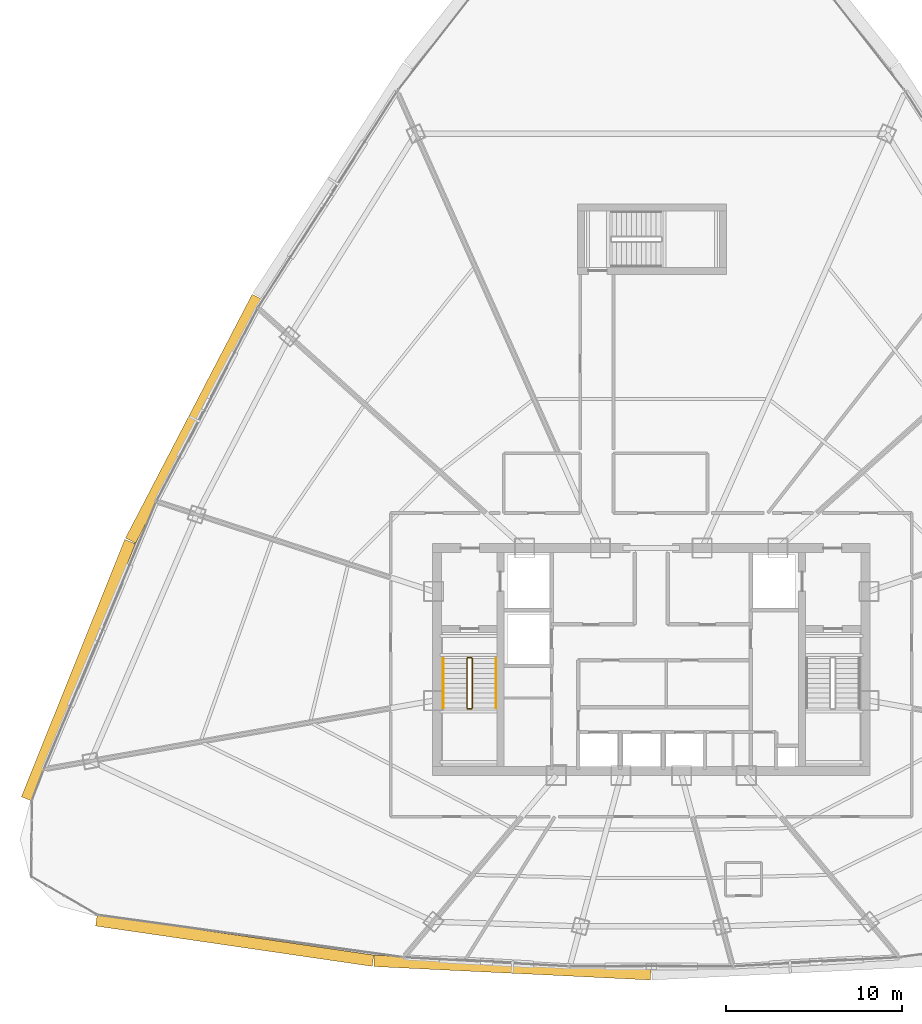
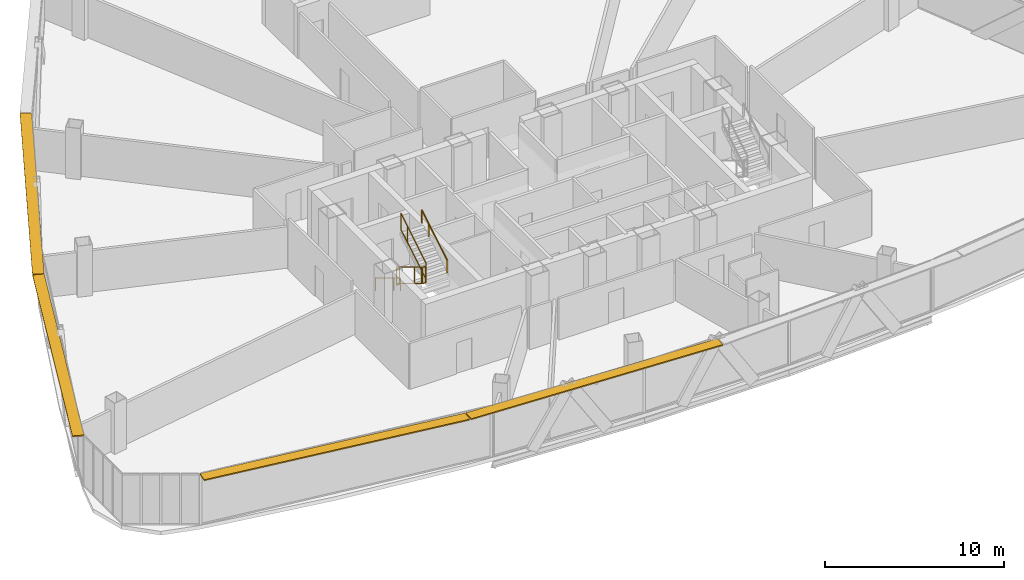
# One storey, part 33 of 36: 6 railings, 4 shading devices.
"""IFC4 building model written with IfcOpenShell, lengths in metres."""

from ifc_helpers import new_model, si_unit, direction, frame, origin, origin_2d, place, context, subcontext, project, spatial, rectangle, extrude, source, transform, mapped, material, layer, layer_set, type_object, element, save


model = new_model("IFC4")

# Units and contexts
model_context = context("Model", 3, precision=1e-05, world=origin(), true_north=direction((0.0, 1.0)))
body_context = subcontext(model_context, "Body", "Model", "MODEL_VIEW")
ifc_project = project(units=[si_unit("LENGTHUNIT", "METRE"), si_unit("AREAUNIT", "SQUARE_METRE"), si_unit("VOLUMEUNIT", "CUBIC_METRE"), si_unit("PLANEANGLEUNIT", "RADIAN"), si_unit("MASSUNIT", "GRAM", prefix="KILO"), si_unit("THERMODYNAMICTEMPERATUREUNIT", "KELVIN"), si_unit("POWERUNIT", "WATT")], contexts=[model_context])

# Site, building, storey
site_placement = place(None, origin())
site = spatial("IfcSite", under=ifc_project, at=site_placement, CompositionType="ELEMENT")
building_placement = place(site_placement, origin())
building = spatial("IfcBuilding", under=site, at=building_placement, Name="Yunzhuo Pagoda Commons", CompositionType="ELEMENT")
storey_placement = place(building_placement, frame((0.0, 0.0, 244.530029296875)))
storey = spatial("IfcBuildingStorey", under=building, at=storey_placement, Name="L61", CompositionType="ELEMENT", Elevation=244.530029296875)

# Railings
ifc_material = material(Name="Anodized aluminium 6063-T6", Category="aluminium")
railing_type_1 = type_object("IfcRailingType", Name="GR-ST1 Stair Well Guardrail 1150", PredefinedType="GUARDRAIL", material=ifc_material)
railing_1_placement = place(storey_placement, frame((37.5, 33.89990234375, 0.16943359375)))
element("IfcRailing", 1, at=railing_1_placement, inside=storey, type_object=railing_type_1, Name="L61 ST1 stair guard 1", PredefinedType="GUARDRAIL", context=body_context, shape_type="SweptSolid", body=[
    extrude(rectangle(XDim=0.048095703125, YDim=0.048095703125, at=origin_2d()), frame((0.0, 0.0, 1.1259765625), z_axis=(0.0, -0.855373106579, 0.518012401918), x_axis=(1.0, 0.0, 0.0)), (0.0, 0.0, 1.0), 3.273193359375),
    extrude(rectangle(XDim=0.048095703125, YDim=0.048095703125, at=origin_2d()), frame((0.0, 0.0, 0.02392578125), z_axis=(0.0, -0.855373106579, 0.518012401918), x_axis=(1.0, 0.0, 0.0)), (0.0, 0.0, 1.0), 3.273193359375),
    extrude(rectangle(XDim=0.0419921875, YDim=0.0419921875, at=origin_2d()), origin(), (0.0, 0.0, 1.0), 1.101806640625),
    extrude(rectangle(XDim=0.0419921875, YDim=0.0419921875, at=origin_2d()), frame((0.0, -2.052978515625, 1.2431640625)), (0.0, 0.0, 1.0), 1.101806640625),
    extrude(rectangle(XDim=0.0419921875, YDim=0.0419921875, at=origin_2d()), frame((0.0, -2.7998046875, 1.695556640625)), (0.0, 0.0, 1.0), 1.101806640625),
])
railing_2_placement = place(storey_placement, frame((37.550048828125, 31.050048828125, 1.864990234375)))
element("IfcRailing", 2, at=railing_2_placement, inside=storey, type_object=railing_type_1, Name="L61 ST1 stair guard 2", PredefinedType="GUARDRAIL", context=body_context, shape_type="SweptSolid", body=[
    extrude(rectangle(XDim=0.048095703125, YDim=0.048095703125, at=origin_2d()), frame((0.0, 0.0, 1.1259765625), z_axis=(1.0, 0.0, 0.0), x_axis=(0.0, 1.0, 0.0)), (0.0, 0.0, 1.0), 0.199951171875),
    extrude(rectangle(XDim=0.048095703125, YDim=0.048095703125, at=origin_2d()), frame((0.0, 0.0, 0.02392578125), z_axis=(1.0, 0.0, 0.0), x_axis=(0.0, 1.0, 0.0)), (0.0, 0.0, 1.0), 0.199951171875),
    extrude(rectangle(XDim=0.0419921875, YDim=0.0419921875, at=origin_2d()), origin(), (0.0, 0.0, 1.0), 1.101806640625),
    extrude(rectangle(XDim=0.0419921875, YDim=0.0419921875, at=origin_2d()), frame((0.199951171875, 0.0, 0.0)), (0.0, 0.0, 1.0), 1.101806640625),
])
railing_3_placement = place(storey_placement, frame((37.800048828125, 31.10009765625, 2.034423828125)))
element("IfcRailing", 3, at=railing_3_placement, inside=storey, type_object=railing_type_1, Name="L61 ST1 stair guard 3", PredefinedType="GUARDRAIL", context=body_context, shape_type="SweptSolid", body=[
    extrude(rectangle(XDim=0.048095703125, YDim=0.048095703125, at=origin_2d()), frame((0.0, 0.0, 1.1259765625), z_axis=(0.0, 0.855373106579, 0.518012401918), x_axis=(-1.0, 0.0, 0.0)), (0.0, 0.0, 1.0), 3.273193359375),
    extrude(rectangle(XDim=0.048095703125, YDim=0.048095703125, at=origin_2d()), frame((0.0, 0.0, 0.02392578125), z_axis=(0.0, 0.855373106579, 0.518012401918), x_axis=(-1.0, 0.0, 0.0)), (0.0, 0.0, 1.0), 3.273193359375),
    extrude(rectangle(XDim=0.0419921875, YDim=0.0419921875, at=origin_2d()), origin(), (0.0, 0.0, 1.0), 1.101806640625),
    extrude(rectangle(XDim=0.0419921875, YDim=0.0419921875, at=origin_2d()), frame((0.0, 2.052978515625, 1.2431640625)), (0.0, 0.0, 1.0), 1.101806640625),
    extrude(rectangle(XDim=0.0419921875, YDim=0.0419921875, at=origin_2d()), frame((0.0, 2.7998046875, 1.695556640625)), (0.0, 0.0, 1.0), 1.101806640625),
])
railing_4_placement = place(storey_placement, frame((37.550048828125, 33.949951171875, 0.0)))
element("IfcRailing", 4, at=railing_4_placement, inside=storey, type_object=railing_type_1, Name="L61 ST1 stair guard 4", PredefinedType="GUARDRAIL", context=body_context, shape_type="SweptSolid", body=[
    extrude(rectangle(XDim=0.048095703125, YDim=0.048095703125, at=origin_2d()), frame((0.0, 0.0, 1.1259765625), z_axis=(1.0, 0.0, 0.0), x_axis=(0.0, 1.0, 0.0)), (0.0, 0.0, 1.0), 0.199951171875),
    extrude(rectangle(XDim=0.048095703125, YDim=0.048095703125, at=origin_2d()), frame((0.0, 0.0, 0.02392578125), z_axis=(1.0, 0.0, 0.0), x_axis=(0.0, 1.0, 0.0)), (0.0, 0.0, 1.0), 0.199951171875),
    extrude(rectangle(XDim=0.0419921875, YDim=0.0419921875, at=origin_2d()), origin(), (0.0, 0.0, 1.0), 1.101806640625),
    extrude(rectangle(XDim=0.0419921875, YDim=0.0419921875, at=origin_2d()), frame((0.199951171875, 0.0, 0.0)), (0.0, 0.0, 1.0), 1.101806640625),
])
railing_type_2 = type_object("IfcRailingType", Name="HR-ST1 Stair Handrail 900", PredefinedType="HANDRAIL", material=ifc_material)
railing_5_placement = place(storey_placement, frame((36.14990234375, 33.89990234375, 0.16943359375)))
element("IfcRailing", 5, at=railing_5_placement, inside=storey, type_object=railing_type_2, Name="L61 ST1 stair handrail 1", PredefinedType="HANDRAIL", context=body_context, shape_type="SweptSolid", body=[
    extrude(rectangle(XDim=0.048095703125, YDim=0.048095703125, at=origin_2d()), frame((0.0, 0.0, 0.8759765625), z_axis=(0.0, -0.855373106579, 0.518012401918), x_axis=(1.0, 0.0, 0.0)), (0.0, 0.0, 1.0), 3.273193359375),
    extrude(rectangle(XDim=0.0419921875, YDim=0.0419921875, at=origin_2d()), origin(), (0.0, 0.0, 1.0), 0.851806640625),
    extrude(rectangle(XDim=0.0419921875, YDim=0.0419921875, at=origin_2d()), frame((0.0, -2.052978515625, 1.2431640625)), (0.0, 0.0, 1.0), 0.851806640625),
    extrude(rectangle(XDim=0.0419921875, YDim=0.0419921875, at=origin_2d()), frame((0.0, -2.7998046875, 1.695556640625)), (0.0, 0.0, 1.0), 0.851806640625),
])
railing_6_placement = place(storey_placement, frame((39.14990234375, 31.10009765625, 2.034423828125)))
element("IfcRailing", 6, at=railing_6_placement, inside=storey, type_object=railing_type_2, Name="L61 ST1 stair handrail 2", PredefinedType="HANDRAIL", context=body_context, shape_type="SweptSolid", body=[
    extrude(rectangle(XDim=0.048095703125, YDim=0.048095703125, at=origin_2d()), frame((0.0, 0.0, 0.8759765625), z_axis=(0.0, 0.855373106579, 0.518012401918), x_axis=(-1.0, 0.0, 0.0)), (0.0, 0.0, 1.0), 3.273193359375),
    extrude(rectangle(XDim=0.0419921875, YDim=0.0419921875, at=origin_2d()), origin(), (0.0, 0.0, 1.0), 0.851806640625),
    extrude(rectangle(XDim=0.0419921875, YDim=0.0419921875, at=origin_2d()), frame((0.0, 2.052978515625, 1.2431640625)), (0.0, 0.0, 1.0), 0.851806640625),
    extrude(rectangle(XDim=0.0419921875, YDim=0.0419921875, at=origin_2d()), frame((0.0, 2.7998046875, 1.695556640625)), (0.0, 0.0, 1.0), 0.851806640625),
])

# Shading devices
ifc_layer = layer(ifc_material, 0.080078125)
ifc_layer_set = layer_set([ifc_layer], Name="Anodized aluminium 6063-T6")
shading_device_type = type_object("IfcShadingDeviceType", Name="SH-SUN1 Pagoda Horizontal Sunshade Eave 650", PredefinedType="USERDEFINED", material=ifc_layer_set)
shared_shape_1 = source(origin(), body_context, "Body", "SweptSolid", [
    extrude(rectangle(XDim=15.924560546875, YDim=0.64990234375, at=origin_2d()), origin(), (0.0, 0.0, 1.0), 0.080078125),
])
shading_device_1_placement = place(storey_placement, frame((24.269775390625, 17.8427734375, 3.389892578125), z_axis=(0.0, 0.0, 1.0), x_axis=(0.989510666697, -0.144459823108, 0.0)))
element("IfcShadingDevice", 7, at=shading_device_1_placement, inside=storey, type_object=shading_device_type, Name="L61 horizontal pagoda sunshade eave F1.1", ObjectType="SUNSHADE", PredefinedType="USERDEFINED", context=body_context, shape_type="MappedRepresentation", body=[
    mapped(shared_shape_1, transform((0.0, 0.0, 0.0), scale=1.0)),
])
shared_shape_2 = source(origin(), body_context, "Body", "SweptSolid", [
    extrude(rectangle(XDim=15.77587890625, YDim=0.64990234375, at=origin_2d()), origin(), (0.0, 0.0, 1.0), 0.080078125),
])
shading_device_2_placement = place(storey_placement, frame((40.08984375, 16.302978515625, 3.389892578125), z_axis=(0.0, 0.0, 1.0), x_axis=(0.998818043775, -0.04860571396, 0.0)))
element("IfcShadingDevice", 8, at=shading_device_2_placement, inside=storey, type_object=shading_device_type, Name="L61 horizontal pagoda sunshade eave F1.2", ObjectType="SUNSHADE", PredefinedType="USERDEFINED", context=body_context, shape_type="MappedRepresentation", body=[
    mapped(shared_shape_2, transform((0.0, 0.0, 0.0), scale=1.0)),
])
shared_shape_3 = source(origin(), body_context, "Body", "SweptSolid", [
    extrude(rectangle(XDim=15.79638671875, YDim=0.64990234375, at=origin_2d()), origin(), (0.0, 0.0, 1.0), 0.080078125),
])
shading_device_3_placement = place(storey_placement, frame((15.363037109375, 33.241943359375, 3.389892578125), z_axis=(0.0, 0.0, 1.0), x_axis=(-0.372987782576, -0.927836253899, 0.0)))
element("IfcShadingDevice", 9, at=shading_device_3_placement, inside=storey, type_object=shading_device_type, Name="L61 horizontal pagoda sunshade eave F3.4", ObjectType="SUNSHADE", PredefinedType="USERDEFINED", context=body_context, shape_type="MappedRepresentation", body=[
    mapped(shared_shape_3, transform((0.0, 0.0, 0.0), scale=1.0)),
])
shared_shape_4 = source(origin(), body_context, "Body", "SweptSolid", [
    extrude(rectangle(XDim=15.646484375, YDim=0.64990234375, at=origin_2d()), origin(), (0.0, 0.0, 1.0), 0.080078125),
])
shading_device_4_placement = place(storey_placement, frame((21.943603515625, 47.569091796875, 3.389892578125), z_axis=(0.0, 0.0, 1.0), x_axis=(-0.461206683033, -0.88729273384, 0.0)))
element("IfcShadingDevice", 10, at=shading_device_4_placement, inside=storey, type_object=shading_device_type, Name="L61 horizontal pagoda sunshade eave F3.3", ObjectType="SUNSHADE", PredefinedType="USERDEFINED", context=body_context, shape_type="MappedRepresentation", body=[
    mapped(shared_shape_4, transform((0.0, 0.0, 0.0), scale=1.0)),
])

save(model, "model.ifc")
